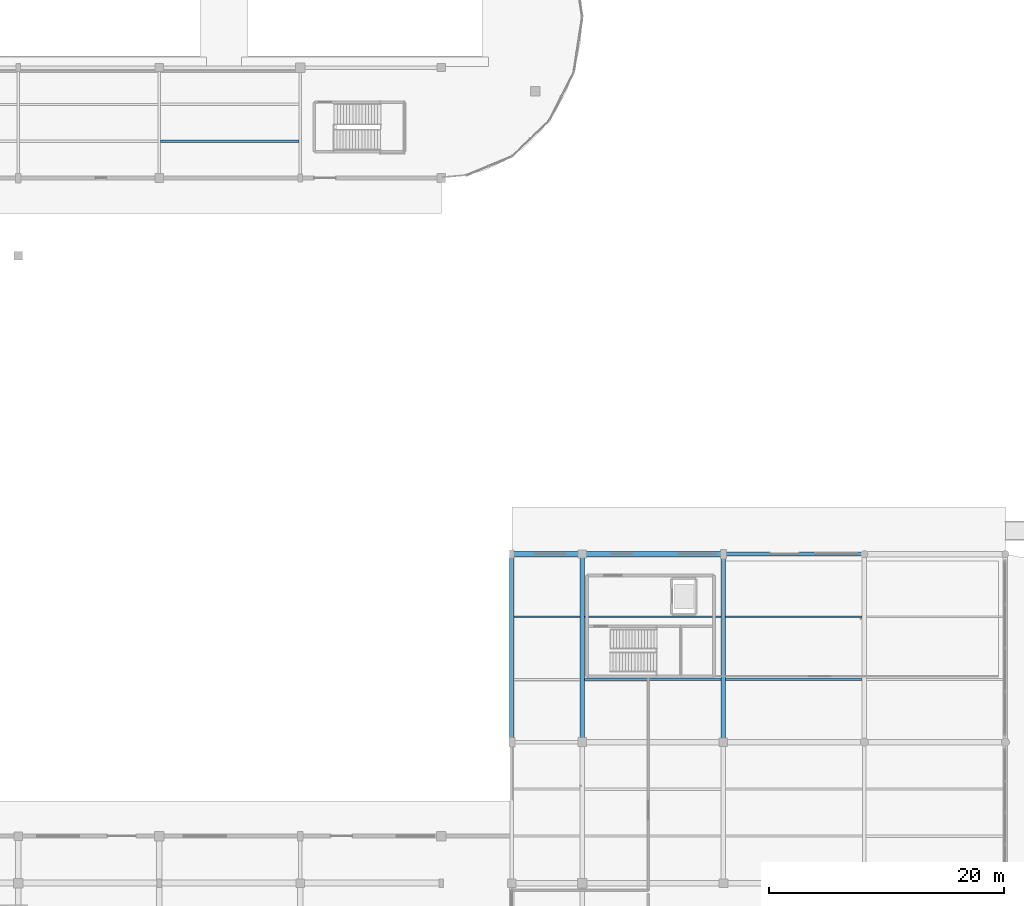
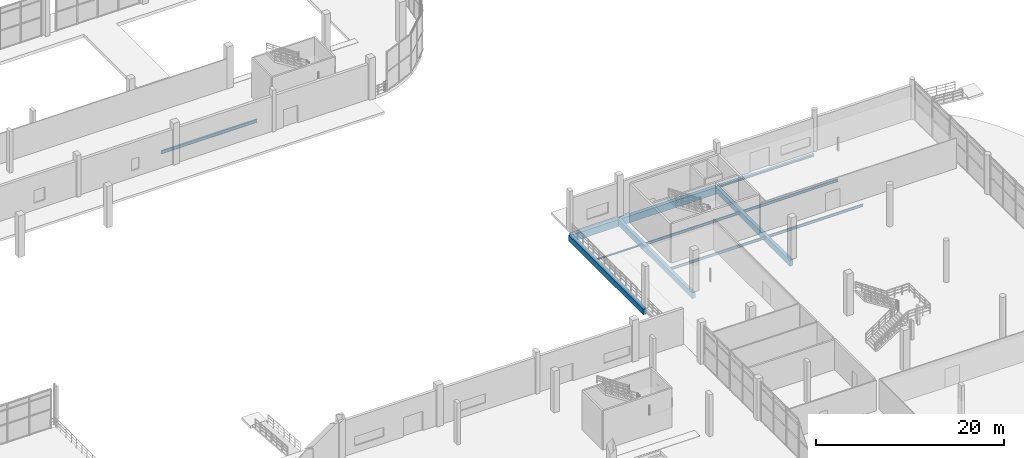
# One storey, part 38 of 85: 12 beams.
"""IFC4 building model written with IfcOpenShell, lengths in metres."""

from ifc_helpers import new_model, si_unit, direction, frame, origin, origin_2d, place, context, subcontext, project, spatial, rectangle, i_section, extrude, material, material_profile, profile_set, type_object, element, save


model = new_model("IFC4")

# Units and contexts
model_context = context("Model", 3, precision=1e-05, world=origin(), true_north=direction((0.0, 1.0)))
body_context = subcontext(model_context, "Body", "Model", "MODEL_VIEW")
ifc_project = project(units=[si_unit("LENGTHUNIT", "METRE"), si_unit("AREAUNIT", "SQUARE_METRE"), si_unit("VOLUMEUNIT", "CUBIC_METRE"), si_unit("PLANEANGLEUNIT", "RADIAN"), si_unit("MASSUNIT", "GRAM", prefix="KILO"), si_unit("THERMODYNAMICTEMPERATUREUNIT", "KELVIN"), si_unit("POWERUNIT", "WATT")], contexts=[model_context])

# Site, building, storey
site_placement = place(None, origin())
site = spatial("IfcSite", under=ifc_project, at=site_placement, CompositionType="ELEMENT")
building_placement = place(site_placement, origin())
building = spatial("IfcBuilding", under=site, at=building_placement, Name="Solmara Park Aquatics Centre", CompositionType="ELEMENT")
storey_placement = place(building_placement, origin())
storey = spatial("IfcBuildingStorey", under=building, at=storey_placement, Name="L00", CompositionType="ELEMENT", Elevation=0.0)

# Beams
ifc_material_1 = material(Name="Structural Steel S355", Category="steel")
ifc_material_profile_1 = material_profile(ifc_material_1, i_section(OverallWidth=0.280029296875, OverallDepth=0.280029296875, WebThickness=0.010498046875, FlangeThickness=0.01806640625, FilletRadius=0.02392578125, at=origin_2d()), Name="HEB 280")
ifc_profile_set_1 = profile_set([ifc_material_profile_1], Name="Structural Steel S355")
beam_type_1 = type_object("IfcBeamType", Name="STR-BM-HEB280", PredefinedType="BEAM", material=ifc_profile_set_1)
beam_1_placement = place(storey_placement, frame((180.080078125, 76.60009765625, -0.56005859375), z_axis=(1.0, 0.0, 0.0), x_axis=(0.0, 1.0, 0.0)))
element("IfcBeam", 1, at=beam_1_placement, inside=storey, type_object=beam_type_1, Name="Girder BM-L00-0072", PredefinedType="BEAM", context=body_context, shape_type="SweptSolid", body=[
    extrude(i_section(OverallWidth=0.280029296875, OverallDepth=0.280029296875, WebThickness=0.010498046875, FlangeThickness=0.01806640625, FilletRadius=0.02392578125, at=origin_2d()), origin(), (0.0, 0.0, 1.0), 11.83984375),
])
ifc_material_2 = material(Name="Concrete C40/50", Category="concrete")
ifc_material_profile_2 = material_profile(ifc_material_2, rectangle(XDim=0.39990234375, YDim=0.75, at=origin_2d()), Name="RC 400x750")
ifc_profile_set_2 = profile_set([ifc_material_profile_2], Name="Concrete C40/50")
beam_type_2 = type_object("IfcBeamType", Name="STR-BM-RC400x750", PredefinedType="BEAM", material=ifc_profile_set_2)
for number, where, z_axis, x_axis, name in (
    (2, (162.0, 60.679931640625, -0.794921875), (0.0, 1.0, 0.0), (-1.0, 0.0, 0.0), "Girder BM-L00-0078"),
    (3, (168.0, 60.679931640625, -0.794921875), (0.0, 1.0, 0.0), (-1.0, 0.0, 0.0), "Girder BM-L00-0083"),
    (4, (180.0, 60.679931640625, -0.794921875), (0.0, 1.0, 0.0), (-1.0, 0.0, 0.0), "Girder BM-L00-0087"),
):
    element("IfcBeam", number, at=place(storey_placement, frame(where, z_axis=z_axis, x_axis=x_axis)), inside=storey, type_object=beam_type_2, Name=name, PredefinedType="BEAM", context=body_context, shape_type="SweptSolid", body=[
        extrude(rectangle(XDim=0.39990234375, YDim=0.75, at=origin_2d()), origin(), (0.0, 0.0, 1.0), 15.840087890625),
    ])
ifc_material_profile_3 = material_profile(ifc_material_2, rectangle(XDim=0.449951171875, YDim=0.89990234375, at=origin_2d()), Name="RC 450x900")
ifc_profile_set_3 = profile_set([ifc_material_profile_3], Name="Concrete C40/50")
beam_type_3 = type_object("IfcBeamType", Name="STR-BM-RC450x900", PredefinedType="BEAM", material=ifc_profile_set_3)
beam_2_placement = place(storey_placement, frame((162.080078125, 76.60009765625, -0.8701171875), z_axis=(1.0, 0.0, 0.0), x_axis=(0.0, 1.0, 0.0)))
element("IfcBeam", 5, at=beam_2_placement, inside=storey, type_object=beam_type_3, Name="Girder BM-L00-0070", PredefinedType="BEAM", context=body_context, shape_type="SweptSolid", body=[
    extrude(rectangle(XDim=0.449951171875, YDim=0.89990234375, at=origin_2d()), origin(), (0.0, 0.0, 1.0), 5.83984375),
])
beam_3_placement = place(storey_placement, frame((168.080078125, 76.60009765625, -0.8701171875), z_axis=(1.0, 0.0, 0.0), x_axis=(0.0, 1.0, 0.0)))
element("IfcBeam", 6, at=beam_3_placement, inside=storey, type_object=beam_type_3, Name="Girder BM-L00-0071", PredefinedType="BEAM", context=body_context, shape_type="SweptSolid", body=[
    extrude(rectangle(XDim=0.449951171875, YDim=0.89990234375, at=origin_2d()), origin(), (0.0, 0.0, 1.0), 11.83984375),
])
ifc_material_profile_4 = material_profile(ifc_material_1, i_section(OverallWidth=0.10009765625, OverallDepth=0.199951171875, WebThickness=0.005615234375, FlangeThickness=0.008544921875, FilletRadius=0.011962890625, at=origin_2d()), Name="IPE 200")
ifc_profile_set_4 = profile_set([ifc_material_profile_4], Name="Structural Steel S355")
beam_type_4 = type_object("IfcBeamType", Name="STR-JST-IPE200", PredefinedType="JOIST", material=ifc_profile_set_4)
beam_4_placement = place(storey_placement, frame((162.199951171875, 71.2666015625, -0.52001953125), z_axis=(1.0, 0.0, 0.0), x_axis=(0.0, 1.0, 0.0)))
element("IfcBeam", 7, at=beam_4_placement, inside=storey, type_object=beam_type_4, Name="Floor Joist JST-L00-0034", PredefinedType="JOIST", context=body_context, shape_type="SweptSolid", body=[
    extrude(i_section(OverallWidth=0.10009765625, OverallDepth=0.199951171875, WebThickness=0.005615234375, FlangeThickness=0.008544921875, FilletRadius=0.011962890625, at=origin_2d()), origin(), (0.0, 0.0, 1.0), 5.60009765625),
])
ifc_material_profile_5 = material_profile(ifc_material_1, i_section(OverallWidth=0.159912109375, OverallDepth=0.330078125, WebThickness=0.007568359375, FlangeThickness=0.011474609375, FilletRadius=0.01806640625, at=origin_2d()), Name="IPE 330")
ifc_profile_set_5 = profile_set([ifc_material_profile_5], Name="Structural Steel S355")
beam_type_5 = type_object("IfcBeamType", Name="STR-JST-IPE330", PredefinedType="JOIST", material=ifc_profile_set_5)
for number, where, z_axis, x_axis, name in (
    (8, (168.199951171875, 65.933349609375, -0.5849609375), (1.0, 0.0, 0.0), (0.0, 1.0, 0.0), "Floor Joist JST-L00-0040"),
    (9, (168.199951171875, 71.2666015625, -0.5849609375), (1.0, 0.0, 0.0), (0.0, 1.0, 0.0), "Floor Joist JST-L00-0041"),
    (10, (180.199951171875, 65.933349609375, -0.5849609375), (1.0, 0.0, 0.0), (0.0, 1.0, 0.0), "Floor Joist JST-L00-0047"),
    (11, (180.199951171875, 71.2666015625, -0.5849609375), (1.0, 0.0, 0.0), (0.0, 1.0, 0.0), "Floor Joist JST-L00-0048"),
):
    element("IfcBeam", number, at=place(storey_placement, frame(where, z_axis=z_axis, x_axis=x_axis)), inside=storey, type_object=beam_type_5, Name=name, PredefinedType="JOIST", context=body_context, shape_type="SweptSolid", body=[
        extrude(i_section(OverallWidth=0.159912109375, OverallDepth=0.330078125, WebThickness=0.007568359375, FlangeThickness=0.011474609375, FilletRadius=0.01806640625, at=origin_2d()), origin(), (0.0, 0.0, 1.0), 11.60009765625),
    ])
ifc_material_profile_6 = material_profile(ifc_material_1, i_section(OverallWidth=0.179931640625, OverallDepth=0.39990234375, WebThickness=0.008544921875, FlangeThickness=0.013427734375, FilletRadius=0.02099609375, at=origin_2d()), Name="IPE 400")
ifc_profile_set_6 = profile_set([ifc_material_profile_6], Name="Structural Steel S355")
beam_type_6 = type_object("IfcBeamType", Name="STR-JST-IPE400", PredefinedType="JOIST", material=ifc_profile_set_6)
beam_5_placement = place(storey_placement, frame((132.110107421875, 111.7333984375, -0.6201171875), z_axis=(1.0, 0.0, 0.0), x_axis=(0.0, 1.0, 0.0)))
element("IfcBeam", 12, at=beam_5_placement, inside=storey, type_object=beam_type_6, Name="Floor Joist JST-L00-0103", PredefinedType="JOIST", context=body_context, shape_type="SweptSolid", body=[
    extrude(i_section(OverallWidth=0.179931640625, OverallDepth=0.39990234375, WebThickness=0.008544921875, FlangeThickness=0.013427734375, FilletRadius=0.02099609375, at=origin_2d()), origin(), (0.0, 0.0, 1.0), 11.77978515625),
])

save(model, "model.ifc")
